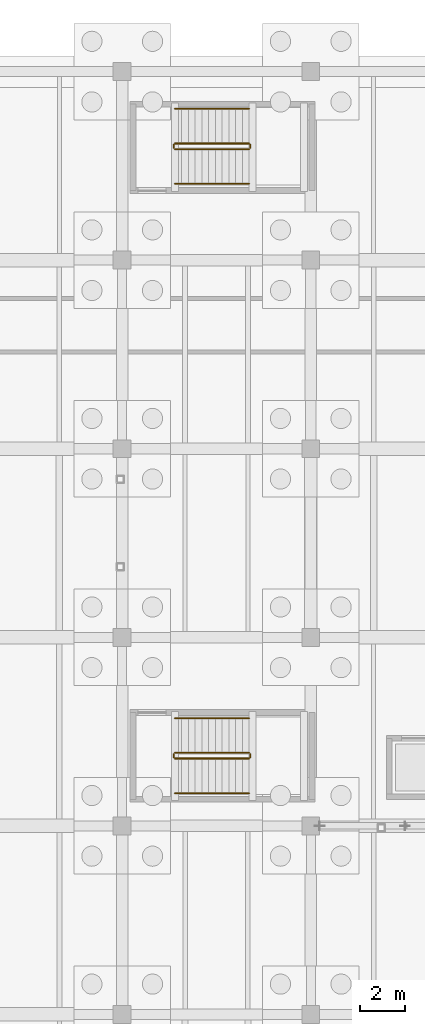
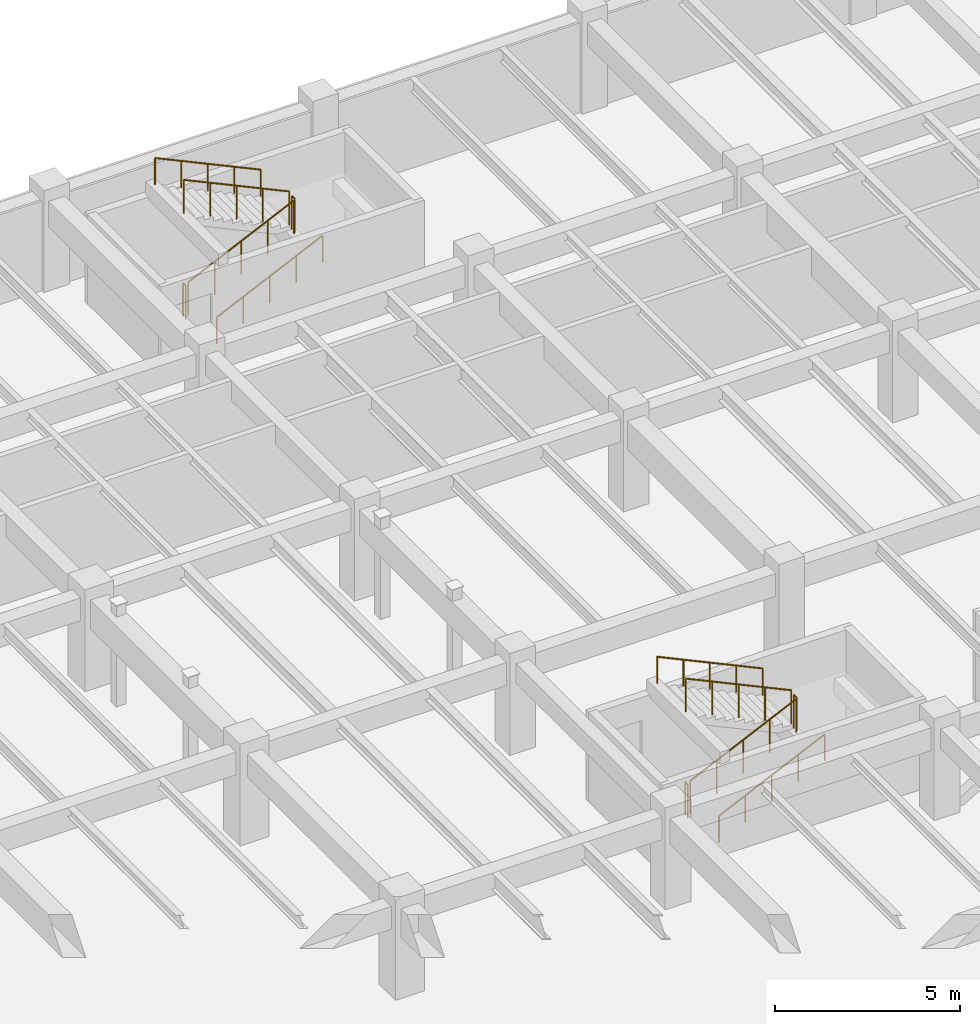
# One storey, part 65 of 70: 12 railings.
"""IFC4 building model written with IfcOpenShell, lengths in metres."""

from ifc_helpers import new_model, si_unit, direction, frame, origin, origin_2d, place, context, subcontext, project, spatial, circle, extrude, material, type_object, element, save


model = new_model("IFC4")

# Units and contexts
model_context = context("Model", 3, precision=1e-05, world=origin(), true_north=direction((0.0, 1.0)))
body_context = subcontext(model_context, "Body", "Model", "MODEL_VIEW")
ifc_project = project(units=[si_unit("LENGTHUNIT", "METRE"), si_unit("AREAUNIT", "SQUARE_METRE"), si_unit("VOLUMEUNIT", "CUBIC_METRE"), si_unit("PLANEANGLEUNIT", "RADIAN"), si_unit("MASSUNIT", "GRAM", prefix="KILO")], contexts=[model_context])

# Site, building, storey
site_placement = place(None, origin())
site = spatial("IfcSite", under=ifc_project, at=site_placement, CompositionType="ELEMENT")
building_placement = place(site_placement, origin())
building = spatial("IfcBuilding", under=site, at=building_placement, Name="Cumbredor Promenade Congress Hotel", CompositionType="ELEMENT")
storey_placement = place(building_placement, frame((0.0, 0.0, -7.56005859375)))
storey = spatial("IfcBuildingStorey", under=building, at=storey_placement, Name="B02", CompositionType="ELEMENT", Elevation=-7.56005859375)

# Railings
ifc_material = material(Name="Brushed stainless steel", Category="steel")
railing_type_1 = type_object("IfcRailingType", Name="Interior Void & Stair Guardrail GR-1100", PredefinedType="GUARDRAIL", material=ifc_material)
railing_1_placement = place(storey_placement, frame((94.75, 87.0, 0.14013671875)))
element("IfcRailing", 1, at=railing_1_placement, inside=storey, type_object=railing_type_1, Name="B02 ST-13 stair guard 1", PredefinedType="GUARDRAIL", context=body_context, shape_type="SweptSolid", body=[
    extrude(circle(Radius=0.02392578125, at=origin_2d()), frame((0.0, 0.0, 1.09619140625), z_axis=(0.906181427284, 0.0, 0.422889135408), x_axis=(0.0, 1.0, 0.0)), (0.0, 0.0, 1.0), 3.6416015625),
    extrude(circle(Radius=0.02099609375, at=origin_2d()), origin(), (0.0, 0.0, 1.0), 1.072021484375),
    extrude(circle(Radius=0.02099609375, at=origin_2d()), frame((0.824951171875, 0.0, 0.385009765625)), (0.0, 0.0, 1.0), 1.072021484375),
    extrude(circle(Radius=0.02099609375, at=origin_2d()), frame((1.64990234375, 0.0, 0.77001953125)), (0.0, 0.0, 1.0), 1.072021484375),
    extrude(circle(Radius=0.02099609375, at=origin_2d()), frame((2.47509765625, 0.0, 1.155029296875)), (0.0, 0.0, 1.0), 1.072021484375),
    extrude(circle(Radius=0.02099609375, at=origin_2d()), frame((3.300048828125, 0.0, 1.5400390625)), (0.0, 0.0, 1.0), 1.072021484375),
])
railing_2_placement = place(storey_placement, frame((98.10009765625, 87.050048828125, 1.68017578125)))
element("IfcRailing", 2, at=railing_2_placement, inside=storey, type_object=railing_type_1, Name="B02 ST-13 stair guard 2", PredefinedType="GUARDRAIL", context=body_context, shape_type="SweptSolid", body=[
    extrude(circle(Radius=0.02392578125, at=origin_2d()), frame((0.0, 0.0, 1.09619140625), z_axis=(0.0, 1.0, 0.0), x_axis=(-1.0, 0.0, 0.0)), (0.0, 0.0, 1.0), 0.14990234375),
    extrude(circle(Radius=0.02099609375, at=origin_2d()), origin(), (0.0, 0.0, 1.0), 1.072021484375),
    extrude(circle(Radius=0.02099609375, at=origin_2d()), frame((0.0, 0.14990234375, 0.0)), (0.0, 0.0, 1.0), 1.072021484375),
])
railing_3_placement = place(storey_placement, frame((98.050048828125, 87.25, 1.820068359375)))
element("IfcRailing", 3, at=railing_3_placement, inside=storey, type_object=railing_type_1, Name="B02 ST-13 stair guard 3", PredefinedType="GUARDRAIL", context=body_context, shape_type="SweptSolid", body=[
    extrude(circle(Radius=0.02392578125, at=origin_2d()), frame((0.0, 0.0, 1.09619140625), z_axis=(-0.906181427284, 0.0, 0.422889135408), x_axis=(0.0, -1.0, 0.0)), (0.0, 0.0, 1.0), 3.6416015625),
    extrude(circle(Radius=0.02099609375, at=origin_2d()), origin(), (0.0, 0.0, 1.0), 1.072021484375),
    extrude(circle(Radius=0.02099609375, at=origin_2d()), frame((-0.824951171875, 0.0, 0.385009765625)), (0.0, 0.0, 1.0), 1.072021484375),
    extrude(circle(Radius=0.02099609375, at=origin_2d()), frame((-1.64990234375, 0.0, 0.77001953125)), (0.0, 0.0, 1.0), 1.072021484375),
    extrude(circle(Radius=0.02099609375, at=origin_2d()), frame((-2.47509765625, 0.0, 1.155029296875)), (0.0, 0.0, 1.0), 1.072021484375),
    extrude(circle(Radius=0.02099609375, at=origin_2d()), frame((-3.300048828125, 0.0, 1.5400390625)), (0.0, 0.0, 1.0), 1.072021484375),
])
railing_4_placement = place(storey_placement, frame((94.699951171875, 87.050048828125, 0.0)))
element("IfcRailing", 4, at=railing_4_placement, inside=storey, type_object=railing_type_1, Name="B02 ST-13 stair guard 4", PredefinedType="GUARDRAIL", context=body_context, shape_type="SweptSolid", body=[
    extrude(circle(Radius=0.02392578125, at=origin_2d()), frame((0.0, 0.0, 1.09619140625), z_axis=(0.0, 1.0, 0.0), x_axis=(-1.0, 0.0, 0.0)), (0.0, 0.0, 1.0), 0.14990234375),
    extrude(circle(Radius=0.02099609375, at=origin_2d()), origin(), (0.0, 0.0, 1.0), 1.072021484375),
    extrude(circle(Radius=0.02099609375, at=origin_2d()), frame((0.0, 0.14990234375, 0.0)), (0.0, 0.0, 1.0), 1.072021484375),
])
railing_5_placement = place(storey_placement, frame((94.75, 114.14990234375, 0.14013671875)))
element("IfcRailing", 5, at=railing_5_placement, inside=storey, type_object=railing_type_1, Name="B02 ST-15 stair guard 1", PredefinedType="GUARDRAIL", context=body_context, shape_type="SweptSolid", body=[
    extrude(circle(Radius=0.02392578125, at=origin_2d()), frame((0.0, 0.0, 1.09619140625), z_axis=(0.906181427284, 0.0, 0.422889135408), x_axis=(0.0, 1.0, 0.0)), (0.0, 0.0, 1.0), 3.6416015625),
    extrude(circle(Radius=0.02099609375, at=origin_2d()), origin(), (0.0, 0.0, 1.0), 1.072021484375),
    extrude(circle(Radius=0.02099609375, at=origin_2d()), frame((0.824951171875, 0.0, 0.385009765625)), (0.0, 0.0, 1.0), 1.072021484375),
    extrude(circle(Radius=0.02099609375, at=origin_2d()), frame((1.64990234375, 0.0, 0.77001953125)), (0.0, 0.0, 1.0), 1.072021484375),
    extrude(circle(Radius=0.02099609375, at=origin_2d()), frame((2.47509765625, 0.0, 1.155029296875)), (0.0, 0.0, 1.0), 1.072021484375),
    extrude(circle(Radius=0.02099609375, at=origin_2d()), frame((3.300048828125, 0.0, 1.5400390625)), (0.0, 0.0, 1.0), 1.072021484375),
])
railing_6_placement = place(storey_placement, frame((98.10009765625, 114.199951171875, 1.68017578125)))
element("IfcRailing", 6, at=railing_6_placement, inside=storey, type_object=railing_type_1, Name="B02 ST-15 stair guard 2", PredefinedType="GUARDRAIL", context=body_context, shape_type="SweptSolid", body=[
    extrude(circle(Radius=0.02392578125, at=origin_2d()), frame((0.0, 0.0, 1.09619140625), z_axis=(0.0, 1.0, 0.0), x_axis=(-1.0, 0.0, 0.0)), (0.0, 0.0, 1.0), 0.150146484375),
    extrude(circle(Radius=0.02099609375, at=origin_2d()), origin(), (0.0, 0.0, 1.0), 1.072021484375),
    extrude(circle(Radius=0.02099609375, at=origin_2d()), frame((0.0, 0.150146484375, 0.0)), (0.0, 0.0, 1.0), 1.072021484375),
])
railing_7_placement = place(storey_placement, frame((98.050048828125, 114.39990234375, 1.820068359375)))
element("IfcRailing", 7, at=railing_7_placement, inside=storey, type_object=railing_type_1, Name="B02 ST-15 stair guard 3", PredefinedType="GUARDRAIL", context=body_context, shape_type="SweptSolid", body=[
    extrude(circle(Radius=0.02392578125, at=origin_2d()), frame((0.0, 0.0, 1.09619140625), z_axis=(-0.906181427284, 0.0, 0.422889135408), x_axis=(0.0, -1.0, 0.0)), (0.0, 0.0, 1.0), 3.6416015625),
    extrude(circle(Radius=0.02099609375, at=origin_2d()), origin(), (0.0, 0.0, 1.0), 1.072021484375),
    extrude(circle(Radius=0.02099609375, at=origin_2d()), frame((-0.824951171875, 0.0, 0.385009765625)), (0.0, 0.0, 1.0), 1.072021484375),
    extrude(circle(Radius=0.02099609375, at=origin_2d()), frame((-1.64990234375, 0.0, 0.77001953125)), (0.0, 0.0, 1.0), 1.072021484375),
    extrude(circle(Radius=0.02099609375, at=origin_2d()), frame((-2.47509765625, 0.0, 1.155029296875)), (0.0, 0.0, 1.0), 1.072021484375),
    extrude(circle(Radius=0.02099609375, at=origin_2d()), frame((-3.300048828125, 0.0, 1.5400390625)), (0.0, 0.0, 1.0), 1.072021484375),
])
railing_8_placement = place(storey_placement, frame((94.699951171875, 114.199951171875, 0.0)))
element("IfcRailing", 8, at=railing_8_placement, inside=storey, type_object=railing_type_1, Name="B02 ST-15 stair guard 4", PredefinedType="GUARDRAIL", context=body_context, shape_type="SweptSolid", body=[
    extrude(circle(Radius=0.02392578125, at=origin_2d()), frame((0.0, 0.0, 1.09619140625), z_axis=(0.0, 1.0, 0.0), x_axis=(-1.0, 0.0, 0.0)), (0.0, 0.0, 1.0), 0.150146484375),
    extrude(circle(Radius=0.02099609375, at=origin_2d()), origin(), (0.0, 0.0, 1.0), 1.072021484375),
    extrude(circle(Radius=0.02099609375, at=origin_2d()), frame((0.0, 0.150146484375, 0.0)), (0.0, 0.0, 1.0), 1.072021484375),
])
railing_type_2 = type_object("IfcRailingType", Name="Stair Pitch Handrail HR-900", PredefinedType="HANDRAIL", material=ifc_material)
railing_9_placement = place(storey_placement, frame((94.75, 85.449951171875, 0.14013671875)))
element("IfcRailing", 9, at=railing_9_placement, inside=storey, type_object=railing_type_2, Name="B02 ST-13 stair handrail 1", PredefinedType="HANDRAIL", context=body_context, shape_type="SweptSolid", body=[
    extrude(circle(Radius=0.02392578125, at=origin_2d()), frame((0.0, 0.0, 0.8759765625), z_axis=(0.906181427284, 0.0, 0.422889135408), x_axis=(0.0, 1.0, 0.0)), (0.0, 0.0, 1.0), 3.6416015625),
    extrude(circle(Radius=0.02099609375, at=origin_2d()), origin(), (0.0, 0.0, 1.0), 0.851806640625),
    extrude(circle(Radius=0.02099609375, at=origin_2d()), frame((0.824951171875, 0.0, 0.385009765625)), (0.0, 0.0, 1.0), 0.851806640625),
    extrude(circle(Radius=0.02099609375, at=origin_2d()), frame((1.64990234375, 0.0, 0.77001953125)), (0.0, 0.0, 1.0), 0.851806640625),
    extrude(circle(Radius=0.02099609375, at=origin_2d()), frame((2.47509765625, 0.0, 1.155029296875)), (0.0, 0.0, 1.0), 0.851806640625),
    extrude(circle(Radius=0.02099609375, at=origin_2d()), frame((3.300048828125, 0.0, 1.5400390625)), (0.0, 0.0, 1.0), 0.851806640625),
])
railing_10_placement = place(storey_placement, frame((98.050048828125, 88.800048828125, 1.820068359375)))
element("IfcRailing", 10, at=railing_10_placement, inside=storey, type_object=railing_type_2, Name="B02 ST-13 stair handrail 2", PredefinedType="HANDRAIL", context=body_context, shape_type="SweptSolid", body=[
    extrude(circle(Radius=0.02392578125, at=origin_2d()), frame((0.0, 0.0, 0.8759765625), z_axis=(-0.906181427284, 0.0, 0.422889135408), x_axis=(0.0, -1.0, 0.0)), (0.0, 0.0, 1.0), 3.6416015625),
    extrude(circle(Radius=0.02099609375, at=origin_2d()), origin(), (0.0, 0.0, 1.0), 0.851806640625),
    extrude(circle(Radius=0.02099609375, at=origin_2d()), frame((-0.824951171875, 0.0, 0.385009765625)), (0.0, 0.0, 1.0), 0.851806640625),
    extrude(circle(Radius=0.02099609375, at=origin_2d()), frame((-1.64990234375, 0.0, 0.77001953125)), (0.0, 0.0, 1.0), 0.851806640625),
    extrude(circle(Radius=0.02099609375, at=origin_2d()), frame((-2.47509765625, 0.0, 1.155029296875)), (0.0, 0.0, 1.0), 0.851806640625),
    extrude(circle(Radius=0.02099609375, at=origin_2d()), frame((-3.300048828125, 0.0, 1.5400390625)), (0.0, 0.0, 1.0), 0.851806640625),
])
railing_11_placement = place(storey_placement, frame((94.75, 112.60009765625, 0.14013671875)))
element("IfcRailing", 11, at=railing_11_placement, inside=storey, type_object=railing_type_2, Name="B02 ST-15 stair handrail 1", PredefinedType="HANDRAIL", context=body_context, shape_type="SweptSolid", body=[
    extrude(circle(Radius=0.02392578125, at=origin_2d()), frame((0.0, 0.0, 0.8759765625), z_axis=(0.906181427284, 0.0, 0.422889135408), x_axis=(0.0, 1.0, 0.0)), (0.0, 0.0, 1.0), 3.6416015625),
    extrude(circle(Radius=0.02099609375, at=origin_2d()), origin(), (0.0, 0.0, 1.0), 0.851806640625),
    extrude(circle(Radius=0.02099609375, at=origin_2d()), frame((0.824951171875, 0.0, 0.385009765625)), (0.0, 0.0, 1.0), 0.851806640625),
    extrude(circle(Radius=0.02099609375, at=origin_2d()), frame((1.64990234375, 0.0, 0.77001953125)), (0.0, 0.0, 1.0), 0.851806640625),
    extrude(circle(Radius=0.02099609375, at=origin_2d()), frame((2.47509765625, 0.0, 1.155029296875)), (0.0, 0.0, 1.0), 0.851806640625),
    extrude(circle(Radius=0.02099609375, at=origin_2d()), frame((3.300048828125, 0.0, 1.5400390625)), (0.0, 0.0, 1.0), 0.851806640625),
])
railing_12_placement = place(storey_placement, frame((98.050048828125, 115.949951171875, 1.820068359375)))
element("IfcRailing", 12, at=railing_12_placement, inside=storey, type_object=railing_type_2, Name="B02 ST-15 stair handrail 2", PredefinedType="HANDRAIL", context=body_context, shape_type="SweptSolid", body=[
    extrude(circle(Radius=0.02392578125, at=origin_2d()), frame((0.0, 0.0, 0.8759765625), z_axis=(-0.906181427284, 0.0, 0.422889135408), x_axis=(0.0, -1.0, 0.0)), (0.0, 0.0, 1.0), 3.6416015625),
    extrude(circle(Radius=0.02099609375, at=origin_2d()), origin(), (0.0, 0.0, 1.0), 0.851806640625),
    extrude(circle(Radius=0.02099609375, at=origin_2d()), frame((-0.824951171875, 0.0, 0.385009765625)), (0.0, 0.0, 1.0), 0.851806640625),
    extrude(circle(Radius=0.02099609375, at=origin_2d()), frame((-1.64990234375, 0.0, 0.77001953125)), (0.0, 0.0, 1.0), 0.851806640625),
    extrude(circle(Radius=0.02099609375, at=origin_2d()), frame((-2.47509765625, 0.0, 1.155029296875)), (0.0, 0.0, 1.0), 0.851806640625),
    extrude(circle(Radius=0.02099609375, at=origin_2d()), frame((-3.300048828125, 0.0, 1.5400390625)), (0.0, 0.0, 1.0), 0.851806640625),
])

save(model, "model.ifc")
